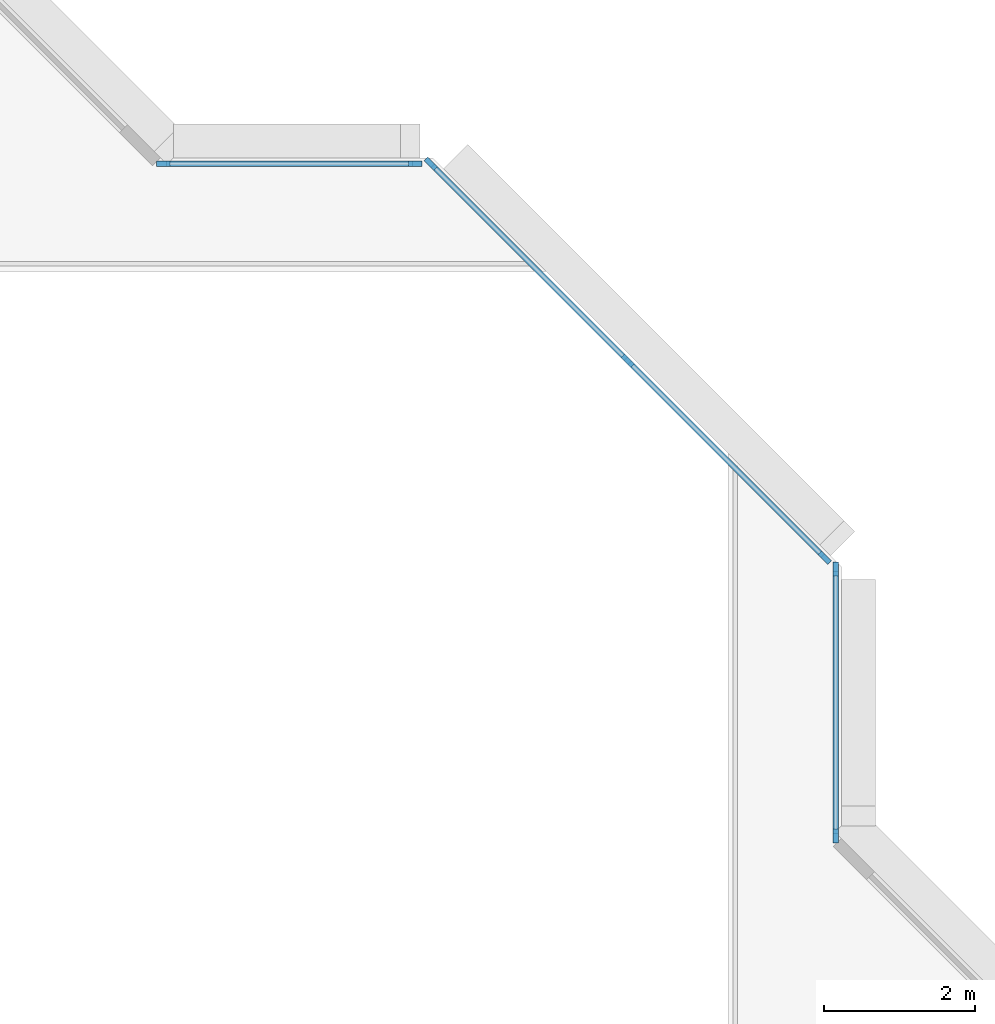
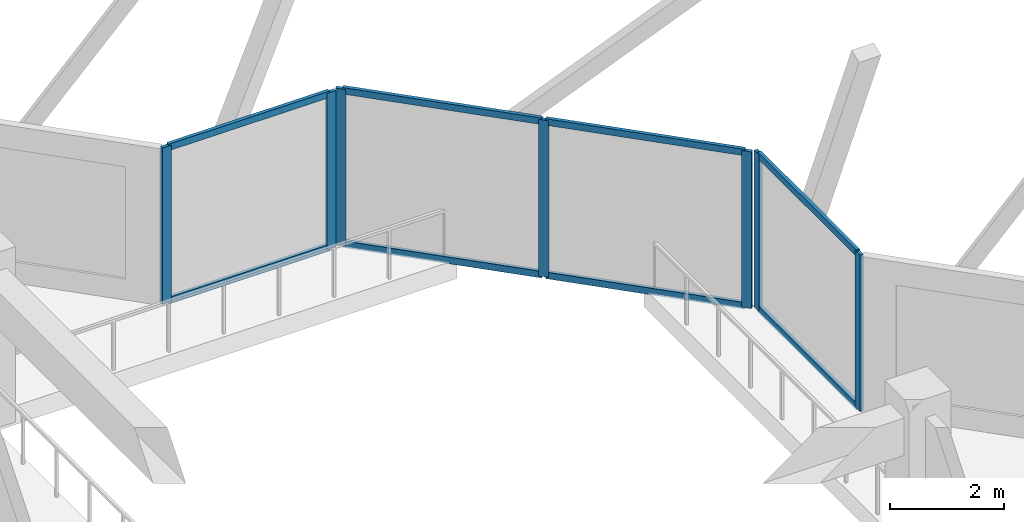
# One storey, part 2 of 16: 15 members, 3 elements without a shape of their own.
"""IFC4 building model written with IfcOpenShell, lengths in metres."""

from ifc_helpers import new_model, si_unit, direction, frame, origin, origin_2d, place, context, subcontext, project, spatial, rectangle, extrude, material, layer, layer_set, material_profile, profile_set, type_object, element, aggregate, save


model = new_model("IFC4")

# Units and contexts
model_context = context("Model", 3, precision=1e-05, world=origin(), true_north=direction((0.0, 1.0)))
body_context = subcontext(model_context, "Body", "Model", "MODEL_VIEW")
ifc_project = project(units=[si_unit("LENGTHUNIT", "METRE"), si_unit("AREAUNIT", "SQUARE_METRE"), si_unit("VOLUMEUNIT", "CUBIC_METRE"), si_unit("PLANEANGLEUNIT", "RADIAN"), si_unit("MASSUNIT", "GRAM", prefix="KILO")], contexts=[model_context])

# Site, building, storey
site_placement = place(None, origin())
site = spatial("IfcSite", under=ifc_project, at=site_placement, CompositionType="ELEMENT")
building_placement = place(site_placement, origin())
building = spatial("IfcBuilding", under=site, at=building_placement, Name="Chenar Terraces", CompositionType="ELEMENT")
storey_placement = place(building_placement, frame((0.0, 0.0, 219.14990234375)))
storey = spatial("IfcBuildingStorey", under=building, at=storey_placement, Name="L51", CompositionType="ELEMENT", Elevation=219.14990234375)

# Curtain wall, members
ifc_material_1 = material(Name="Aluminium framed glazing", Category="aluminium")
ifc_layer = layer(ifc_material_1, 0.14990234375)
ifc_layer_set = layer_set([ifc_layer], Name="Aluminium framed glazing")
curtain_wall_type = type_object("IfcCurtainWallType", Name="Atrium mid-zone curtain wall", PredefinedType="NOTDEFINED", material=ifc_layer_set)
placement = place(storey_placement, origin())
curtain_wall_1 = element("IfcCurtainWall", 1, at=placement, inside=storey, type_object=curtain_wall_type, Name="Atrium mid-zone curtain wall", PredefinedType="NOTDEFINED")
ifc_material_2 = material(Name="Aluminium", Category="aluminium")
ifc_material_profile_1 = material_profile(ifc_material_2, rectangle(XDim=0.070068359375, YDim=0.179931640625, at=origin_2d()), Name="Atrium mid-zone glazing mullion 70 x 180")
ifc_profile_set_1 = profile_set([ifc_material_profile_1], Name="Aluminium")
member_type_1 = type_object("IfcMemberType", Name="Atrium mid-zone glazing mullion 70 x 180", PredefinedType="MULLION", material=ifc_profile_set_1)
member_1_placement = place(storey_placement, frame((37.425048828125, 28.534912109375, 0.0), z_axis=(0.0, 0.0, 1.0), x_axis=(-1.0, 0.0, 0.0)))
member_1 = element("IfcMember", 2, at=member_1_placement, type_object=member_type_1, Name="CW7-1 mullion 1", PredefinedType="MULLION", context=body_context, shape_type="SweptSolid", body=[
    extrude(rectangle(XDim=0.070068359375, YDim=0.179931640625, at=origin_2d()), origin(), (0.0, 0.0, 1.0), 3.35009765625),
])
member_2_placement = place(storey_placement, frame((37.425048828125, 32.06494140625, 0.0), z_axis=(0.0, 0.0, 1.0), x_axis=(-1.0, 0.0, 0.0)))
member_2 = element("IfcMember", 3, at=member_2_placement, type_object=member_type_1, Name="CW7-1 mullion 2", PredefinedType="MULLION", context=body_context, shape_type="SweptSolid", body=[
    extrude(rectangle(XDim=0.070068359375, YDim=0.179931640625, at=origin_2d()), origin(), (0.0, 0.0, 1.0), 3.35009765625),
])

curtain_wall_2 = element("IfcCurtainWall", 4, at=placement, inside=storey, type_object=curtain_wall_type, Name="Atrium mid-zone curtain wall", PredefinedType="NOTDEFINED")
member_3_placement = place(storey_placement, frame((37.28076171875, 32.213134765625, 0.0), z_axis=(0.0, 0.0, 1.0), x_axis=(-0.707106781187, -0.707106781187, 0.0)))
member_3 = element("IfcMember", 5, at=member_3_placement, type_object=member_type_1, Name="CW7-2 mullion 1", PredefinedType="MULLION", context=body_context, shape_type="SweptSolid", body=[
    extrude(rectangle(XDim=0.070068359375, YDim=0.179931640625, at=origin_2d()), origin(), (0.0, 0.0, 1.0), 3.35009765625),
])
member_4_placement = place(storey_placement, frame((34.67626953125, 34.817626953125, 0.0), z_axis=(0.0, 0.0, 1.0), x_axis=(-0.707106781187, -0.707106781187, 0.0)))
member_4 = element("IfcMember", 6, at=member_4_placement, type_object=member_type_1, Name="CW7-2 mullion 2", PredefinedType="MULLION", context=body_context, shape_type="SweptSolid", body=[
    extrude(rectangle(XDim=0.070068359375, YDim=0.179931640625, at=origin_2d()), origin(), (0.0, 0.0, 1.0), 3.35009765625),
])
member_5_placement = place(storey_placement, frame((32.07177734375, 37.42236328125, 0.0), z_axis=(0.0, 0.0, 1.0), x_axis=(-0.707106781187, -0.707106781187, 0.0)))
member_5 = element("IfcMember", 7, at=member_5_placement, type_object=member_type_1, Name="CW7-2 mullion 3", PredefinedType="MULLION", context=body_context, shape_type="SweptSolid", body=[
    extrude(rectangle(XDim=0.070068359375, YDim=0.179931640625, at=origin_2d()), origin(), (0.0, 0.0, 1.0), 3.35009765625),
])

curtain_wall_3 = element("IfcCurtainWall", 8, at=placement, inside=storey, type_object=curtain_wall_type, Name="Atrium mid-zone curtain wall", PredefinedType="NOTDEFINED")
member_6_placement = place(storey_placement, frame((31.864990234375, 37.425048828125, 0.0), z_axis=(0.0, 0.0, 1.0), x_axis=(0.0, -1.0, 0.0)))
member_6 = element("IfcMember", 9, at=member_6_placement, type_object=member_type_1, Name="CW7-3 mullion 1", PredefinedType="MULLION", context=body_context, shape_type="SweptSolid", body=[
    extrude(rectangle(XDim=0.070068359375, YDim=0.179931640625, at=origin_2d()), origin(), (0.0, 0.0, 1.0), 3.35009765625),
])
member_7_placement = place(storey_placement, frame((28.534912109375, 37.425048828125, 0.0), z_axis=(0.0, 0.0, 1.0), x_axis=(0.0, -1.0, 0.0)))
member_7 = element("IfcMember", 10, at=member_7_placement, type_object=member_type_1, Name="CW7-3 mullion 2", PredefinedType="MULLION", context=body_context, shape_type="SweptSolid", body=[
    extrude(rectangle(XDim=0.070068359375, YDim=0.179931640625, at=origin_2d()), origin(), (0.0, 0.0, 1.0), 3.35009765625),
])

# Member
ifc_material_3 = material(Name="Aluminium", Category="aluminium")
ifc_material_profile_2 = material_profile(ifc_material_3, rectangle(XDim=0.070068359375, YDim=0.139892578125, at=origin_2d()), Name="Atrium mid-zone glazing transom 70 x 140")
ifc_profile_set_2 = profile_set([ifc_material_profile_2], Name="Aluminium")
member_type_2 = type_object("IfcMemberType", Name="Atrium mid-zone glazing transom 70 x 140", PredefinedType="USERDEFINED", material=ifc_profile_set_2)
member_8_placement = place(storey_placement, frame((37.425048828125, 28.570068359375, 0.03515625), z_axis=(0.0, 1.0, 0.0), x_axis=(-1.0, 0.0, 0.0)))
member_8 = element("IfcMember", 11, at=member_8_placement, type_object=member_type_2, Name="CW7-1 transom 1.1", ObjectType="TRANSOM", PredefinedType="USERDEFINED", context=body_context, shape_type="SweptSolid", body=[
    extrude(rectangle(XDim=0.070068359375, YDim=0.139892578125, at=origin_2d()), origin(), (0.0, 0.0, 1.0), 3.4599609375),
])

member_9_placement = place(storey_placement, frame((37.425048828125, 28.570068359375, 3.315185546875), z_axis=(0.0, 1.0, 0.0), x_axis=(-1.0, 0.0, 0.0)))
member_9 = element("IfcMember", 12, at=member_9_placement, type_object=member_type_2, Name="CW7-1 transom 1.2", ObjectType="TRANSOM", PredefinedType="USERDEFINED", context=body_context, shape_type="SweptSolid", body=[
    extrude(rectangle(XDim=0.070068359375, YDim=0.139892578125, at=origin_2d()), origin(), (0.0, 0.0, 1.0), 3.4599609375),
])

aggregate(curtain_wall_1, [member_1, member_2, member_8, member_9])

member_10_placement = place(storey_placement, frame((37.256103515625, 32.23779296875, 0.03515625), z_axis=(-0.707106781187, 0.707106781187, 0.0), x_axis=(-0.707106781187, -0.707106781187, 0.0)))
member_10 = element("IfcMember", 13, at=member_10_placement, type_object=member_type_2, Name="CW7-2 transom 1.1", ObjectType="TRANSOM", PredefinedType="USERDEFINED", context=body_context, shape_type="SweptSolid", body=[
    extrude(rectangle(XDim=0.070068359375, YDim=0.139892578125, at=origin_2d()), origin(), (0.0, 0.0, 1.0), 3.613525390625),
])

member_11_placement = place(storey_placement, frame((37.256103515625, 32.23779296875, 3.315185546875), z_axis=(-0.707106781187, 0.707106781187, 0.0), x_axis=(-0.707106781187, -0.707106781187, 0.0)))
member_11 = element("IfcMember", 14, at=member_11_placement, type_object=member_type_2, Name="CW7-2 transom 1.2", ObjectType="TRANSOM", PredefinedType="USERDEFINED", context=body_context, shape_type="SweptSolid", body=[
    extrude(rectangle(XDim=0.070068359375, YDim=0.139892578125, at=origin_2d()), origin(), (0.0, 0.0, 1.0), 3.613525390625),
])

member_12_placement = place(storey_placement, frame((34.651611328125, 34.842529296875, 0.03515625), z_axis=(-0.707140563131, 0.707072997628, 0.0), x_axis=(-0.707072997628, -0.707140563131, 0.0)))
member_12 = element("IfcMember", 15, at=member_12_placement, type_object=member_type_2, Name="CW7-2 transom 2.1", ObjectType="TRANSOM", PredefinedType="USERDEFINED", context=body_context, shape_type="SweptSolid", body=[
    extrude(rectangle(XDim=0.070068359375, YDim=0.139892578125, at=origin_2d()), origin(), (0.0, 0.0, 1.0), 3.61328125),
])

member_13_placement = place(storey_placement, frame((34.651611328125, 34.842529296875, 3.315185546875), z_axis=(-0.707140563131, 0.707072997628, 0.0), x_axis=(-0.707072997628, -0.707140563131, 0.0)))
member_13 = element("IfcMember", 16, at=member_13_placement, type_object=member_type_2, Name="CW7-2 transom 2.2", ObjectType="TRANSOM", PredefinedType="USERDEFINED", context=body_context, shape_type="SweptSolid", body=[
    extrude(rectangle(XDim=0.070068359375, YDim=0.139892578125, at=origin_2d()), origin(), (0.0, 0.0, 1.0), 3.61328125),
])

aggregate(curtain_wall_2, [member_3, member_4, member_5, member_10, member_11, member_12, member_13])

member_14_placement = place(storey_placement, frame((31.830078125, 37.425048828125, 0.03515625), z_axis=(-1.0, 0.0, 0.0), x_axis=(0.0, -1.0, 0.0)))
member_14 = element("IfcMember", 17, at=member_14_placement, type_object=member_type_2, Name="CW7-3 transom 1.1", ObjectType="TRANSOM", PredefinedType="USERDEFINED", context=body_context, shape_type="SweptSolid", body=[
    extrude(rectangle(XDim=0.070068359375, YDim=0.139892578125, at=origin_2d()), origin(), (0.0, 0.0, 1.0), 3.260009765625),
])

member_15_placement = place(storey_placement, frame((31.830078125, 37.425048828125, 3.315185546875), z_axis=(-1.0, 0.0, 0.0), x_axis=(0.0, -1.0, 0.0)))
member_15 = element("IfcMember", 18, at=member_15_placement, type_object=member_type_2, Name="CW7-3 transom 1.2", ObjectType="TRANSOM", PredefinedType="USERDEFINED", context=body_context, shape_type="SweptSolid", body=[
    extrude(rectangle(XDim=0.070068359375, YDim=0.139892578125, at=origin_2d()), origin(), (0.0, 0.0, 1.0), 3.260009765625),
])

aggregate(curtain_wall_3, [member_6, member_7, member_14, member_15])

save(model, "model.ifc")
